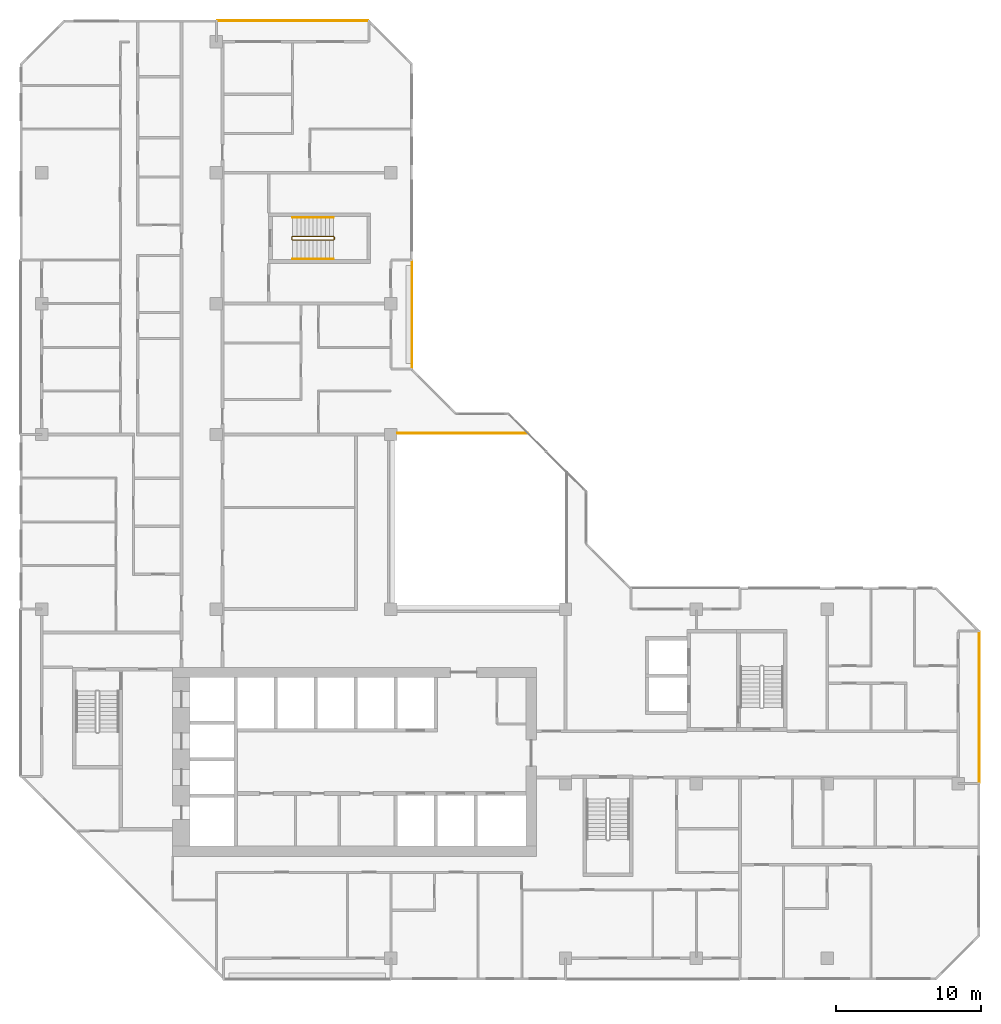
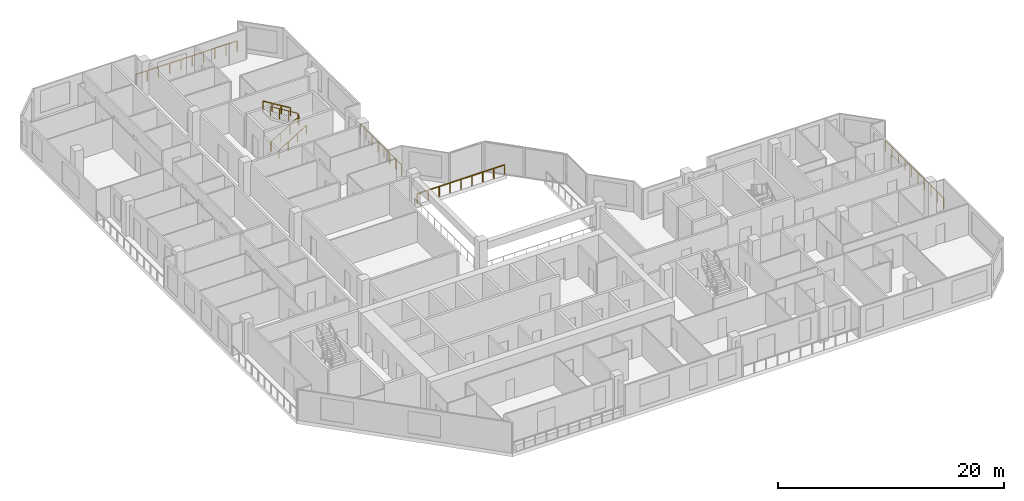
# One storey, part 15 of 15: 7 railings.
"""IFC4 building model written with IfcOpenShell, lengths in metres."""

import ifcopenshell
import ifcopenshell.guid

model = None  # the IFC model being written
_history = None  # IfcOwnerHistory: only IFC2X3 demands one
_inside = {}  # id of a spatial element -> (the spatial element, [elements in it])
_under = {}  # id of a project, library or spatial element -> (it, [spatial elements below it])
_declared = {}  # id of a project -> (the project, [libraries it declares])
_typed = {}  # id of a type object -> (the type object, [elements of that type])
_made_of = {}  # id of a material, layer set ... -> (it, [elements and type objects made of it])


def new_model(schema):
    """Start an empty IFC model of exactly this schema.

    Asked for "IFC4X3", IfcOpenShell would pick the latest addendum, in which some entities
    have other attributes; the version numbers below select the first issue.
    IFC2X3 requires an IfcOwnerHistory on every rooted entity: one is made here for all.
    """
    global model, _history
    if schema == "IFC4X3":
        model = ifcopenshell.file(schema_version=(4, 3, 0, 0))
    else:
        model = ifcopenshell.file(schema=schema)
    _inside.clear()
    _under.clear()
    _declared.clear()
    _typed.clear()
    _made_of.clear()
    _history = None
    if model.schema == "IFC2X3":
        org = make("IfcOrganization", Name="unknown")
        user = make(
            "IfcPersonAndOrganization",
            ThePerson=make("IfcPerson", FamilyName="unknown"),
            TheOrganization=org,
        )
        app = make(
            "IfcApplication",
            ApplicationDeveloper=org,
            Version="unknown",
            ApplicationFullName="unknown",
            ApplicationIdentifier="unknown",
        )
        _history = make(
            "IfcOwnerHistory",
            OwningUser=user,
            OwningApplication=app,
            ChangeAction="ADDED",
            CreationDate=0,
        )
    return model


def make(cls, **values):
    """One entity of the class cls with the attributes given. An attribute that is None is left unset."""
    return model.create_entity(
        cls, **{name: value for name, value in values.items() if value is not None}
    )


def rooted(cls, **values):
    """An entity with a GlobalId (a new one), such as an element, a storey or a relation."""
    return make(cls, GlobalId=ifcopenshell.guid.new(), OwnerHistory=_history, **values)


def si_unit(unit_type, name, prefix=None):
    """IfcSIUnit, for example si_unit("LENGTHUNIT", "METRE", prefix="MILLI")."""
    return make("IfcSIUnit", UnitType=unit_type, Prefix=prefix, Name=name)


def assignment(units):
    """IfcUnitAssignment: the units of a project."""
    return None if units is None else make("IfcUnitAssignment", Units=units)


def point(xyz):
    """IfcCartesianPoint."""
    return None if xyz is None else make("IfcCartesianPoint", Coordinates=xyz)


def direction(xyz):
    """IfcDirection."""
    return None if xyz is None else make("IfcDirection", DirectionRatios=xyz)


def frame(location, z_axis=None, x_axis=None):
    """IfcAxis2Placement3D, a coordinate frame: its origin and axes. An axis left out is left unset."""
    return make(
        "IfcAxis2Placement3D",
        Location=point(location),
        Axis=direction(z_axis),
        RefDirection=direction(x_axis),
    )


def frame_2d(location, x_axis=None):
    """IfcAxis2Placement2D, a coordinate frame in the plane: its origin and x axis."""
    return make(
        "IfcAxis2Placement2D", Location=point(location), RefDirection=direction(x_axis)
    )


def origin():
    """The frame at (0, 0, 0) with its axes left unset."""
    return frame((0.0, 0.0, 0.0))


def origin_2d():
    """The frame at (0, 0) in the plane with its x axis left unset."""
    return frame_2d((0.0, 0.0))


def place(relative_to, where):
    """IfcLocalPlacement: puts the frame where relative to a parent placement (None: the world)."""
    return make(
        "IfcLocalPlacement", PlacementRelTo=relative_to, RelativePlacement=where
    )


def context(
    kind, dimensions, precision=None, world=None, true_north=None, identifier=None
):
    """IfcGeometricRepresentationContext, for example the 3D "Model" context."""
    return make(
        "IfcGeometricRepresentationContext",
        ContextIdentifier=identifier,
        ContextType=kind,
        CoordinateSpaceDimension=dimensions,
        Precision=precision,
        WorldCoordinateSystem=world,
        TrueNorth=true_north,
    )


def subcontext(parent, identifier, kind, view, scale=None):
    """IfcGeometricRepresentationSubContext, for example "Body" below "Model"."""
    return make(
        "IfcGeometricRepresentationSubContext",
        ContextIdentifier=identifier,
        ContextType=kind,
        ParentContext=parent,
        TargetScale=scale,
        TargetView=view,
    )


def project(units=None, contexts=None):
    """IfcProject with its units and contexts."""
    return rooted(
        "IfcProject",
        Name="project",
        RepresentationContexts=contexts,
        UnitsInContext=assignment(units),
    )


def spatial(cls, under=None, at=None, **own):
    """A site, building, storey or space (cls), placed at a placement, below another one or the project."""
    s = rooted(cls, ObjectPlacement=at, **own)
    if under is not None:
        _under.setdefault(under.id(), (under, []))[1].append(s)
    return s


def profile(cls, at=None, kind="AREA", **sizes):
    """A parametric profile (cls). Its sizes go by their IFC names, for example OverallWidth=200.0."""
    return make(cls, ProfileType=kind, Position=at, **sizes)


def rectangle(**sizes):
    """IfcRectangleProfileDef."""
    return profile("IfcRectangleProfileDef", **sizes)


def extrude(swept, where, along, depth):
    """IfcExtrudedAreaSolid: the profile swept, set in the frame where, extruded along a direction by depth."""
    return make(
        "IfcExtrudedAreaSolid",
        SweptArea=swept,
        Position=where,
        ExtrudedDirection=direction(along),
        Depth=depth,
    )


def shape(context_of_items, identifier, shape_type, items):
    """IfcShapeRepresentation: the items that make up one representation, for example the "Body"."""
    return make(
        "IfcShapeRepresentation",
        ContextOfItems=context_of_items,
        RepresentationIdentifier=identifier,
        RepresentationType=shape_type,
        Items=items,
    )


def material(Name=None, Category=None):
    """IfcMaterial."""
    return make("IfcMaterial", Name=Name, Category=Category)


def made_of(thing, what):
    """Note that an element or type object is made of a material, layer set ...; save() writes the relation."""
    if what is not None:
        _made_of.setdefault(what.id(), (what, []))[1].append(thing)
    return thing


def type_object(cls, material=None, **own):
    """A type object (cls), such as IfcWallType, which elements share."""
    return made_of(rooted(cls, **own), material)


def element(
    cls,
    number,
    at=None,
    inside=None,
    cuts=None,
    type_object=None,
    material=None,
    context=None,
    identifier="Body",
    shape_type=None,
    held_by="IfcProductDefinitionShape",
    body=None,
    shapes=None,
    **own,
):
    """One element of the class cls, such as IfcWall. Its Tag is "e" and its number.

    at: its placement. inside: the storey or other place that contains it. cuts: it is an
    opening in that element (IfcRelVoidsElement). A single representation is given by context,
    identifier, shape_type and body (its items); several are given by shapes. held_by: the class
    of the entity that holds the representations. save() writes the other relations.
    """
    e = rooted(cls, Tag="e%d" % number, ObjectPlacement=at, **own)
    if body is not None:
        shapes = [shape(context, identifier, shape_type, body)]
    if shapes is not None:
        e.Representation = make(held_by, Representations=shapes)
    if inside is not None:
        _inside.setdefault(inside.id(), (inside, []))[1].append(e)
    if cuts is not None:
        rooted(
            "IfcRelVoidsElement", RelatingBuildingElement=cuts, RelatedOpeningElement=e
        )
    if type_object is not None:
        _typed.setdefault(type_object.id(), (type_object, []))[1].append(e)
    return made_of(e, material)


def aggregate(whole, parts):
    """IfcRelAggregates: a whole, such as a stair, and the parts it consists of."""
    return rooted("IfcRelAggregates", RelatingObject=whole, RelatedObjects=parts)


def save(model, path):
    """Write the relations noted so far, then the file.

    IfcRelAggregates (storeys below a building ...), IfcRelContainedInSpatialStructure (elements
    in a storey), IfcRelDefinesByType, IfcRelAssociatesMaterial and IfcRelDeclares: one each for
    every whole, place, type object, material and project.
    """
    for whole, parts in _under.values():
        aggregate(whole, parts)
    for where, things in _inside.values():
        rooted(
            "IfcRelContainedInSpatialStructure",
            RelatedElements=things,
            RelatingStructure=where,
        )
    for kind, things in _typed.values():
        rooted("IfcRelDefinesByType", RelatedObjects=things, RelatingType=kind)
    for what, things in _made_of.values():
        rooted("IfcRelAssociatesMaterial", RelatedObjects=things, RelatingMaterial=what)
    for by, libraries in _declared.values():
        rooted("IfcRelDeclares", RelatingContext=by, RelatedDefinitions=libraries)
    model.write(path)


model = new_model("IFC4")

# Units and contexts
model_context = context("Model", 3, precision=1e-05, world=origin(), true_north=direction((0.0, 1.0)))
body_context = subcontext(model_context, "Body", "Model", "MODEL_VIEW")
ifc_project = project(units=[si_unit("LENGTHUNIT", "METRE"), si_unit("AREAUNIT", "SQUARE_METRE"), si_unit("VOLUMEUNIT", "CUBIC_METRE"), si_unit("PLANEANGLEUNIT", "RADIAN"), si_unit("MASSUNIT", "GRAM", prefix="KILO")], contexts=[model_context])

# Site, building, storey
site_placement = place(None, origin())
site = spatial("IfcSite", under=ifc_project, at=site_placement, CompositionType="ELEMENT")
building_placement = place(site_placement, origin())
building = spatial("IfcBuilding", under=site, at=building_placement, Name="Chenar Terraces", CompositionType="ELEMENT")
storey_placement = place(building_placement, frame((0.0, 0.0, 252.89990234375)))
storey = spatial("IfcBuildingStorey", under=building, at=storey_placement, Name="L60", CompositionType="ELEMENT", Elevation=252.89990234375)

# Railings
ifc_material_1 = material(Name="Powder-coated steel", Category="steel")
railing_type_1 = type_object("IfcRailingType", Name="Guard 1100 steel rail with glass infill", PredefinedType="GUARDRAIL", material=ifc_material_1)
railing_1_placement = place(storey_placement, frame((24.47509765625, 36.10009765625, 0.0)))
element("IfcRailing", 1, at=railing_1_placement, inside=storey, type_object=railing_type_1, Name="Guard L60-2", PredefinedType="GUARDRAIL", context=body_context, shape_type="SweptSolid", body=[
    extrude(rectangle(XDim=0.06005859375, YDim=0.06005859375, at=origin_2d()), frame((0.0, 0.0, 1.070068359375), z_axis=(1.0, 0.0, 0.0), x_axis=(0.0, 1.0, 0.0)), (0.0, 0.0, 1.0), 8.9248046875),
    extrude(rectangle(XDim=0.050048828125, YDim=0.050048828125, at=origin_2d()), origin(), (0.0, 0.0, 1.0), 1.0400390625),
    extrude(rectangle(XDim=0.050048828125, YDim=0.050048828125, at=origin_2d()), frame((1.11572265625, 0.0, 0.0)), (0.0, 0.0, 1.0), 1.0400390625),
    extrude(rectangle(XDim=0.050048828125, YDim=0.050048828125, at=origin_2d()), frame((2.231201171875, 0.0, 0.0)), (0.0, 0.0, 1.0), 1.0400390625),
    extrude(rectangle(XDim=0.050048828125, YDim=0.050048828125, at=origin_2d()), frame((3.3466796875, 0.0, 0.0)), (0.0, 0.0, 1.0), 1.0400390625),
    extrude(rectangle(XDim=0.050048828125, YDim=0.050048828125, at=origin_2d()), frame((4.46240234375, 0.0, 0.0)), (0.0, 0.0, 1.0), 1.0400390625),
    extrude(rectangle(XDim=0.050048828125, YDim=0.050048828125, at=origin_2d()), frame((5.578125, 0.0, 0.0)), (0.0, 0.0, 1.0), 1.0400390625),
    extrude(rectangle(XDim=0.050048828125, YDim=0.050048828125, at=origin_2d()), frame((6.693603515625, 0.0, 0.0)), (0.0, 0.0, 1.0), 1.0400390625),
    extrude(rectangle(XDim=0.050048828125, YDim=0.050048828125, at=origin_2d()), frame((7.80908203125, 0.0, 0.0)), (0.0, 0.0, 1.0), 1.0400390625),
    extrude(rectangle(XDim=0.050048828125, YDim=0.050048828125, at=origin_2d()), frame((8.9248046875, 0.0, 0.0)), (0.0, 0.0, 1.0), 1.0400390625),
])
ifc_material_2 = material(Name="Stainless steel and glass", Category="steel")
railing_type_2 = type_object("IfcRailingType", Name="Loggia guard 1150", PredefinedType="GUARDRAIL", material=ifc_material_2)
railing_2_placement = place(storey_placement, frame((25.449951171875, 40.574951171875, 0.0)))
element("IfcRailing", 2, at=railing_2_placement, inside=storey, type_object=railing_type_2, Name="Loggia guard", PredefinedType="GUARDRAIL", context=body_context, shape_type="SweptSolid", body=[
    extrude(rectangle(XDim=0.048095703125, YDim=0.048095703125, at=origin_2d()), frame((0.0, 0.0, 1.1259765625), z_axis=(0.0, 1.0, 0.0), x_axis=(-1.0, 0.0, 0.0)), (0.0, 0.0, 1.0), 7.35009765625),
    extrude(rectangle(XDim=0.0419921875, YDim=0.0419921875, at=origin_2d()), origin(), (0.0, 0.0, 1.0), 1.101806640625),
    extrude(rectangle(XDim=0.0419921875, YDim=0.0419921875, at=origin_2d()), frame((0.0, 1.050048828125, 0.0)), (0.0, 0.0, 1.0), 1.101806640625),
    extrude(rectangle(XDim=0.0419921875, YDim=0.0419921875, at=origin_2d()), frame((0.0, 2.10009765625, 0.0)), (0.0, 0.0, 1.0), 1.101806640625),
    extrude(rectangle(XDim=0.0419921875, YDim=0.0419921875, at=origin_2d()), frame((0.0, 3.150146484375, 0.0)), (0.0, 0.0, 1.0), 1.101806640625),
    extrude(rectangle(XDim=0.0419921875, YDim=0.0419921875, at=origin_2d()), frame((0.0, 4.199951171875, 0.0)), (0.0, 0.0, 1.0), 1.101806640625),
    extrude(rectangle(XDim=0.0419921875, YDim=0.0419921875, at=origin_2d()), frame((0.0, 5.25, 0.0)), (0.0, 0.0, 1.0), 1.101806640625),
    extrude(rectangle(XDim=0.0419921875, YDim=0.0419921875, at=origin_2d()), frame((0.0, 6.300048828125, 0.0)), (0.0, 0.0, 1.0), 1.101806640625),
    extrude(rectangle(XDim=0.0419921875, YDim=0.0419921875, at=origin_2d()), frame((0.0, 7.35009765625, 0.0)), (0.0, 0.0, 1.0), 1.101806640625),
])
railing_3_placement = place(storey_placement, frame((64.449951171875, 12.074951171875, 0.0)))
element("IfcRailing", 3, at=railing_3_placement, inside=storey, type_object=railing_type_2, Name="Loggia guard", PredefinedType="GUARDRAIL", context=body_context, shape_type="SweptSolid", body=[
    extrude(rectangle(XDim=0.048095703125, YDim=0.048095703125, at=origin_2d()), frame((0.0, 0.0, 1.1259765625), z_axis=(0.0, 1.0, 0.0), x_axis=(-1.0, 0.0, 0.0)), (0.0, 0.0, 1.0), 10.35009765625),
    extrude(rectangle(XDim=0.0419921875, YDim=0.0419921875, at=origin_2d()), origin(), (0.0, 0.0, 1.0), 1.101806640625),
    extrude(rectangle(XDim=0.0419921875, YDim=0.0419921875, at=origin_2d()), frame((0.0, 1.14990234375, 0.0)), (0.0, 0.0, 1.0), 1.101806640625),
    extrude(rectangle(XDim=0.0419921875, YDim=0.0419921875, at=origin_2d()), frame((0.0, 2.300048828125, 0.0)), (0.0, 0.0, 1.0), 1.101806640625),
    extrude(rectangle(XDim=0.0419921875, YDim=0.0419921875, at=origin_2d()), frame((0.0, 3.449951171875, 0.0)), (0.0, 0.0, 1.0), 1.101806640625),
    extrude(rectangle(XDim=0.0419921875, YDim=0.0419921875, at=origin_2d()), frame((0.0, 4.60009765625, 0.0)), (0.0, 0.0, 1.0), 1.101806640625),
    extrude(rectangle(XDim=0.0419921875, YDim=0.0419921875, at=origin_2d()), frame((0.0, 5.75, 0.0)), (0.0, 0.0, 1.0), 1.101806640625),
    extrude(rectangle(XDim=0.0419921875, YDim=0.0419921875, at=origin_2d()), frame((0.0, 6.900146484375, 0.0)), (0.0, 0.0, 1.0), 1.101806640625),
    extrude(rectangle(XDim=0.0419921875, YDim=0.0419921875, at=origin_2d()), frame((0.0, 8.050048828125, 0.0)), (0.0, 0.0, 1.0), 1.101806640625),
    extrude(rectangle(XDim=0.0419921875, YDim=0.0419921875, at=origin_2d()), frame((0.0, 9.2001953125, 0.0)), (0.0, 0.0, 1.0), 1.101806640625),
    extrude(rectangle(XDim=0.0419921875, YDim=0.0419921875, at=origin_2d()), frame((0.0, 10.35009765625, 0.0)), (0.0, 0.0, 1.0), 1.101806640625),
])
railing_4_placement = place(storey_placement, frame((22.425048828125, 64.449951171875, 0.0)))
element("IfcRailing", 4, at=railing_4_placement, inside=storey, type_object=railing_type_2, Name="Loggia guard", PredefinedType="GUARDRAIL", context=body_context, shape_type="SweptSolid", body=[
    extrude(rectangle(XDim=0.048095703125, YDim=0.048095703125, at=origin_2d()), frame((0.0, 0.0, 1.1259765625), z_axis=(-1.0, 0.0, 0.0), x_axis=(0.0, -1.0, 0.0)), (0.0, 0.0, 1.0), 10.35009765625),
    extrude(rectangle(XDim=0.0419921875, YDim=0.0419921875, at=origin_2d()), origin(), (0.0, 0.0, 1.0), 1.101806640625),
    extrude(rectangle(XDim=0.0419921875, YDim=0.0419921875, at=origin_2d()), frame((-1.14990234375, 0.0, 0.0)), (0.0, 0.0, 1.0), 1.101806640625),
    extrude(rectangle(XDim=0.0419921875, YDim=0.0419921875, at=origin_2d()), frame((-2.300048828125, 0.0, 0.0)), (0.0, 0.0, 1.0), 1.101806640625),
    extrude(rectangle(XDim=0.0419921875, YDim=0.0419921875, at=origin_2d()), frame((-3.449951171875, 0.0, 0.0)), (0.0, 0.0, 1.0), 1.101806640625),
    extrude(rectangle(XDim=0.0419921875, YDim=0.0419921875, at=origin_2d()), frame((-4.60009765625, 0.0, 0.0)), (0.0, 0.0, 1.0), 1.101806640625),
    extrude(rectangle(XDim=0.0419921875, YDim=0.0419921875, at=origin_2d()), frame((-5.75, 0.0, 0.0)), (0.0, 0.0, 1.0), 1.101806640625),
    extrude(rectangle(XDim=0.0419921875, YDim=0.0419921875, at=origin_2d()), frame((-6.900146484375, 0.0, 0.0)), (0.0, 0.0, 1.0), 1.101806640625),
    extrude(rectangle(XDim=0.0419921875, YDim=0.0419921875, at=origin_2d()), frame((-8.050048828125, 0.0, 0.0)), (0.0, 0.0, 1.0), 1.101806640625),
    extrude(rectangle(XDim=0.0419921875, YDim=0.0419921875, at=origin_2d()), frame((-9.2001953125, 0.0, 0.0)), (0.0, 0.0, 1.0), 1.101806640625),
    extrude(rectangle(XDim=0.0419921875, YDim=0.0419921875, at=origin_2d()), frame((-10.35009765625, 0.0, 0.0)), (0.0, 0.0, 1.0), 1.101806640625),
])
ifc_material_3 = material(Name="Powder-coated steel", Category="steel")
railing_type_3 = type_object("IfcRailingType", Name="Stair guard 1100", PredefinedType="GUARDRAIL", material=ifc_material_3)
railing_5_placement = place(storey_placement, frame((17.25, 49.625, 3.75)))
element("IfcRailing", 5, at=railing_5_placement, inside=storey, type_object=railing_type_3, Name="L60 ST4 stair guard 1", PredefinedType="GUARDRAIL", context=body_context, shape_type="SweptSolid", body=[
    extrude(rectangle(XDim=0.048095703125, YDim=0.048095703125, at=origin_2d()), frame((0.0, 0.0, 1.076171875), z_axis=(0.854202870247, 0.0, -0.519939858505), x_axis=(0.0, 1.0, 0.0)), (0.0, 0.0, 1.0), 3.278076171875),
    extrude(rectangle(XDim=0.048095703125, YDim=0.048095703125, at=origin_2d()), frame((2.800048828125, 0.0, -0.62841796875), z_axis=(0.270899902878, -0.270899902878, -0.923702595667), x_axis=(0.707106781187, 0.707106781187, 0.0)), (0.0, 0.0, 1.0), 0.184814453125),
    extrude(rectangle(XDim=0.048095703125, YDim=0.048095703125, at=origin_2d()), frame((2.85009765625, -0.050048828125, -0.798828125), z_axis=(0.0, -1.0, 0.0), x_axis=(1.0, 0.0, 0.0)), (0.0, 0.0, 1.0), 0.14990234375),
    extrude(rectangle(XDim=0.048095703125, YDim=0.048095703125, at=origin_2d()), frame((2.85009765625, -0.199951171875, -0.798828125), z_axis=(-0.707106781187, -0.707106781187, 0.0), x_axis=(0.707106781187, -0.707106781187, 0.0)), (0.0, 0.0, 1.0), 0.07080078125),
    extrude(rectangle(XDim=0.048095703125, YDim=0.048095703125, at=origin_2d()), frame((2.800048828125, -0.25, -0.798828125), z_axis=(-0.854202870247, 0.0, -0.519939858505), x_axis=(0.0, -1.0, 0.0)), (0.0, 0.0, 1.0), 3.278076171875),
    extrude(rectangle(XDim=0.048095703125, YDim=0.048095703125, at=origin_2d()), frame((0.0, -0.25, -2.50341796875), z_axis=(-0.270899902878, 0.270899902878, -0.923702595667), x_axis=(-0.707106781187, -0.707106781187, 0.0)), (0.0, 0.0, 1.0), 0.184814453125),
    extrude(rectangle(XDim=0.048095703125, YDim=0.048095703125, at=origin_2d()), frame((-0.050048828125, -0.199951171875, -2.673828125), z_axis=(0.0, 1.0, 0.0), x_axis=(-1.0, 0.0, 0.0)), (0.0, 0.0, 1.0), 0.14990234375),
    extrude(rectangle(XDim=0.0419921875, YDim=0.0419921875, at=origin_2d()), origin(), (0.0, 0.0, 1.0), 1.052001953125),
    extrude(rectangle(XDim=0.0419921875, YDim=0.0419921875, at=origin_2d()), frame((0.933349609375, 0.0, -0.568115234375)), (0.0, 0.0, 1.0), 1.052001953125),
    extrude(rectangle(XDim=0.0419921875, YDim=0.0419921875, at=origin_2d()), frame((1.86669921875, 0.0, -1.13623046875)), (0.0, 0.0, 1.0), 1.052001953125),
    extrude(rectangle(XDim=0.0419921875, YDim=0.0419921875, at=origin_2d()), frame((2.800048828125, 0.0, -1.704345703125)), (0.0, 0.0, 1.0), 1.052001953125),
    extrude(rectangle(XDim=0.0419921875, YDim=0.0419921875, at=origin_2d()), frame((2.85009765625, -0.050048828125, -1.875)), (0.0, 0.0, 1.0), 1.052001953125),
    extrude(rectangle(XDim=0.0419921875, YDim=0.0419921875, at=origin_2d()), frame((2.85009765625, -0.199951171875, -1.875)), (0.0, 0.0, 1.0), 1.052001953125),
    extrude(rectangle(XDim=0.0419921875, YDim=0.0419921875, at=origin_2d()), frame((2.800048828125, -0.25, -1.875)), (0.0, 0.0, 1.0), 1.052001953125),
    extrude(rectangle(XDim=0.0419921875, YDim=0.0419921875, at=origin_2d()), frame((1.86669921875, -0.25, -2.443115234375)), (0.0, 0.0, 1.0), 1.052001953125),
    extrude(rectangle(XDim=0.0419921875, YDim=0.0419921875, at=origin_2d()), frame((0.933349609375, -0.25, -3.01123046875)), (0.0, 0.0, 1.0), 1.052001953125),
    extrude(rectangle(XDim=0.0419921875, YDim=0.0419921875, at=origin_2d()), frame((0.0, -0.25, -3.579345703125)), (0.0, 0.0, 1.0), 1.052001953125),
    extrude(rectangle(XDim=0.0419921875, YDim=0.0419921875, at=origin_2d()), frame((-0.050048828125, -0.199951171875, -3.75)), (0.0, 0.0, 1.0), 1.052001953125),
    extrude(rectangle(XDim=0.0419921875, YDim=0.0419921875, at=origin_2d()), frame((-0.050048828125, -0.050048828125, -3.75)), (0.0, 0.0, 1.0), 1.052001953125),
])
ifc_material_4 = material(Name="Powder-coated steel", Category="steel")
railing_type_4 = type_object("IfcRailingType", Name="Stair handrail 900", PredefinedType="HANDRAIL", material=ifc_material_4)
railing_6_placement = place(storey_placement, frame((17.25, 48.074951171875, 0.170654296875)))
element("IfcRailing", 6, at=railing_6_placement, inside=storey, type_object=railing_type_4, Name="L60 ST4 stair handrail 1", PredefinedType="HANDRAIL", context=body_context, shape_type="SweptSolid", body=[
    extrude(rectangle(XDim=0.048095703125, YDim=0.048095703125, at=origin_2d()), frame((0.0, 0.0, 0.8759765625), z_axis=(0.854202870247, 0.0, 0.519939858505), x_axis=(0.0, 1.0, 0.0)), (0.0, 0.0, 1.0), 3.278076171875),
    extrude(rectangle(XDim=0.0419921875, YDim=0.0419921875, at=origin_2d()), origin(), (0.0, 0.0, 1.0), 0.851806640625),
    extrude(rectangle(XDim=0.0419921875, YDim=0.0419921875, at=origin_2d()), frame((0.933349609375, 0.0, 0.568115234375)), (0.0, 0.0, 1.0), 0.851806640625),
    extrude(rectangle(XDim=0.0419921875, YDim=0.0419921875, at=origin_2d()), frame((1.86669921875, 0.0, 1.13623046875)), (0.0, 0.0, 1.0), 0.851806640625),
    extrude(rectangle(XDim=0.0419921875, YDim=0.0419921875, at=origin_2d()), frame((2.800048828125, 0.0, 1.704345703125)), (0.0, 0.0, 1.0), 0.851806640625),
])
railing_7_placement = place(storey_placement, frame((20.050048828125, 50.925048828125, 2.045654296875)))
element("IfcRailing", 7, at=railing_7_placement, inside=storey, type_object=railing_type_4, Name="L60 ST4 stair handrail 2", PredefinedType="HANDRAIL", context=body_context, shape_type="SweptSolid", body=[
    extrude(rectangle(XDim=0.048095703125, YDim=0.048095703125, at=origin_2d()), frame((0.0, 0.0, 0.8759765625), z_axis=(-0.854202870247, 0.0, 0.519939858505), x_axis=(0.0, -1.0, 0.0)), (0.0, 0.0, 1.0), 3.278076171875),
    extrude(rectangle(XDim=0.0419921875, YDim=0.0419921875, at=origin_2d()), origin(), (0.0, 0.0, 1.0), 0.851806640625),
    extrude(rectangle(XDim=0.0419921875, YDim=0.0419921875, at=origin_2d()), frame((-0.933349609375, 0.0, 0.568115234375)), (0.0, 0.0, 1.0), 0.851806640625),
    extrude(rectangle(XDim=0.0419921875, YDim=0.0419921875, at=origin_2d()), frame((-1.86669921875, 0.0, 1.13623046875)), (0.0, 0.0, 1.0), 0.851806640625),
    extrude(rectangle(XDim=0.0419921875, YDim=0.0419921875, at=origin_2d()), frame((-2.800048828125, 0.0, 1.704345703125)), (0.0, 0.0, 1.0), 0.851806640625),
])

save(model, "model.ifc")
